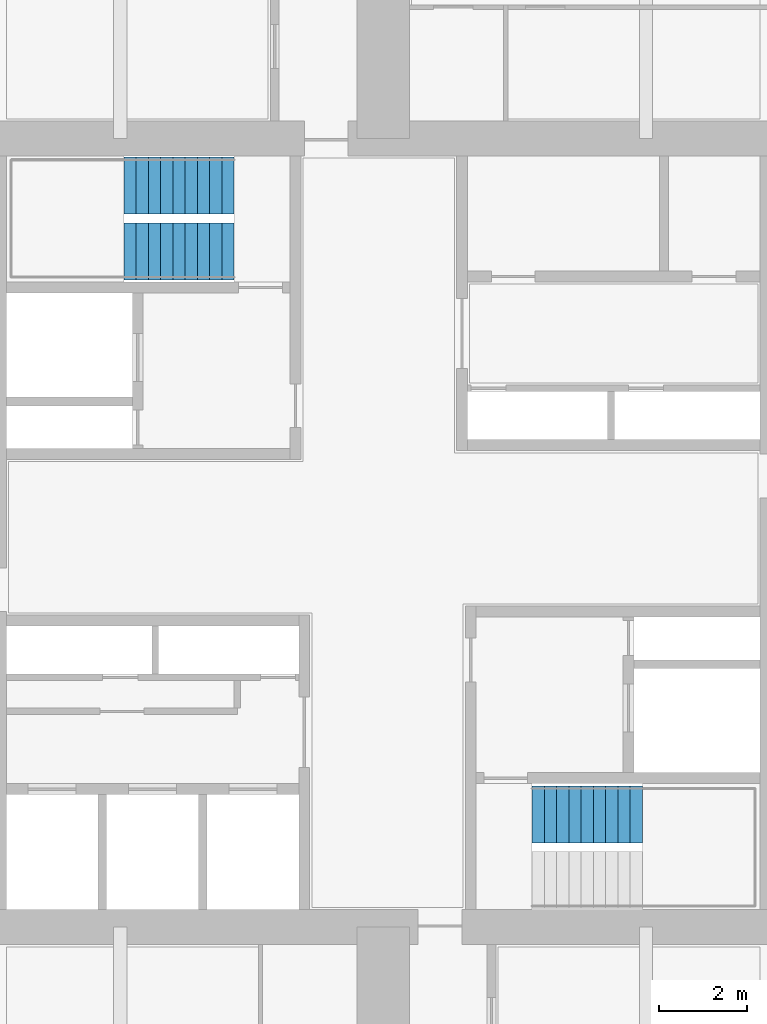
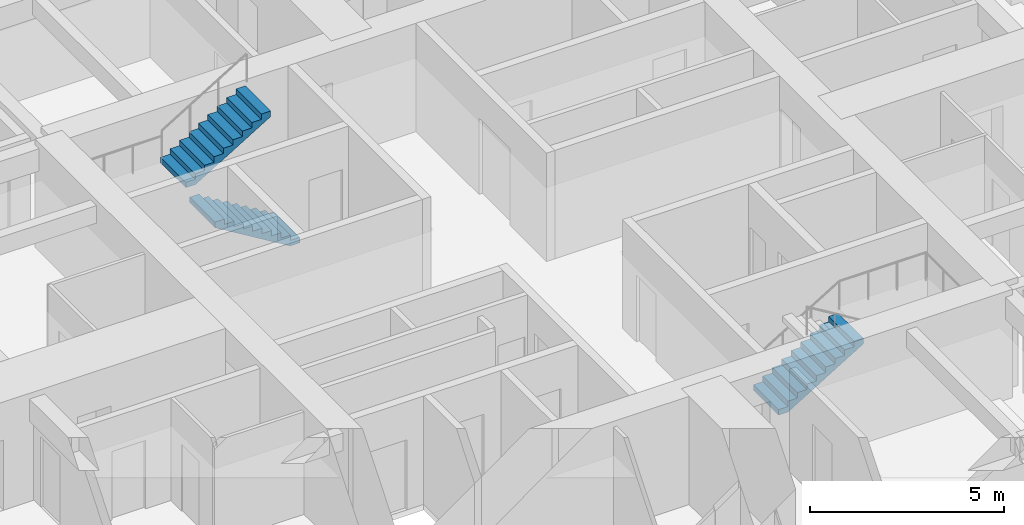
# One storey, part 12 of 14: 3 stair flights, 2 elements without a shape of their own.
"""IFC4 building model written with IfcOpenShell, lengths in metres."""

from ifc_helpers import new_model, si_unit, direction, frame, origin, place, context, subcontext, project, spatial, polyline, outline, extrude, material, type_object, element, aggregate, save


model = new_model("IFC4")

# Units and contexts
model_context = context("Model", 3, precision=1e-05, world=origin(), true_north=direction((0.0, 1.0)))
body_context = subcontext(model_context, "Body", "Model", "MODEL_VIEW")
ifc_project = project(units=[si_unit("LENGTHUNIT", "METRE"), si_unit("AREAUNIT", "SQUARE_METRE"), si_unit("VOLUMEUNIT", "CUBIC_METRE"), si_unit("PLANEANGLEUNIT", "RADIAN"), si_unit("MASSUNIT", "GRAM", prefix="KILO")], contexts=[model_context])

# Site, building, storey
site_placement = place(None, origin())
site = spatial("IfcSite", under=ifc_project, at=site_placement, CompositionType="ELEMENT")
building_placement = place(site_placement, origin())
building = spatial("IfcBuilding", under=site, at=building_placement, Name="Torre Cruceta", CompositionType="ELEMENT")
storey_placement = place(building_placement, frame((0.0, 0.0, 257.699951171875)))
storey = spatial("IfcBuildingStorey", under=building, at=storey_placement, Name="L66", CompositionType="ELEMENT", Elevation=257.699951171875)

# Stair, stair flights
ifc_material_1 = material(Name="Concrete G30 (fck 30 MPa)", Category="concrete")
stair_type = type_object("IfcStairType", Name="STAIR HALF-TURN 1300", PredefinedType="HALF_TURN_STAIR", material=ifc_material_1)
stair_1_placement = place(storey_placement, origin())
stair_1 = element("IfcStair", 1, at=stair_1_placement, inside=storey, type_object=stair_type, Name="Stair ST1 L66", PredefinedType="HALF_TURN_STAIR")
ifc_material_2 = material(Name="Concrete G30 (fck 30 MPa)", Category="concrete")
stair_flight_type = type_object("IfcStairFlightType", Name="STAIR FLIGHT 1300", PredefinedType="STRAIGHT", material=ifc_material_2)
stair_flight_1_placement = place(storey_placement, frame((-3.39990234375, 6.425048828125, 0.0), z_axis=(0.0, 0.0, 1.0), x_axis=(-1.0, 0.0, 0.0)))
stair_flight_1 = element("IfcStairFlight", 2, at=stair_flight_1_placement, type_object=stair_flight_type, Name="ST1 flight 1", NumberOfRisers=10, NumberOfTreads=9, PredefinedType="STRAIGHT", RiserHeight=0.17, TreadLength=0.28, context=body_context, shape_type="SweptSolid", body=[
    extrude(outline(polyline([(0.0, 0.0), (0.0, 0.169921875), (0.280029296875, 0.169921875), (0.280029296875, 0.340087890625), (0.56005859375, 0.340087890625), (0.56005859375, 0.510009765625), (0.840087890625, 0.510009765625), (0.840087890625, 0.679931640625), (1.1201171875, 0.679931640625), (1.1201171875, 0.85009765625), (1.39990234375, 0.85009765625), (1.39990234375, 1.02001953125), (1.679931640625, 1.02001953125), (1.679931640625, 1.18994140625), (1.9599609375, 1.18994140625), (1.9599609375, 1.360107421875), (2.239990234375, 1.360107421875), (2.239990234375, 1.530029296875), (2.52001953125, 1.530029296875), (2.52001953125, 1.699951171875), (2.52001953125, 1.354736328125), (0.288818359375, 0.0), (0.0, 0.0)])), frame((0.0, 0.64990234375, 0.0), z_axis=(0.0, -1.0, 0.0), x_axis=(1.0, 0.0, 0.0)), (0.0, 0.0, 1.0), 1.300048828125),
])
stair_flight_2_placement = place(storey_placement, frame((-5.919921875, 7.925048828125, 1.699951171875), z_axis=(0.0, 0.0, 1.0), x_axis=(1.0, 0.0, 0.0)))
stair_flight_2 = element("IfcStairFlight", 3, at=stair_flight_2_placement, type_object=stair_flight_type, Name="ST1 flight 2", NumberOfRisers=10, NumberOfTreads=9, PredefinedType="STRAIGHT", RiserHeight=0.17, TreadLength=0.28, context=body_context, shape_type="SweptSolid", body=[
    extrude(outline(polyline([(0.0, 0.0), (0.0, 0.169921875), (0.280029296875, 0.169921875), (0.280029296875, 0.340087890625), (0.56005859375, 0.340087890625), (0.56005859375, 0.510009765625), (0.840087890625, 0.510009765625), (0.840087890625, 0.679931640625), (1.1201171875, 0.679931640625), (1.1201171875, 0.85009765625), (1.39990234375, 0.85009765625), (1.39990234375, 1.02001953125), (1.679931640625, 1.02001953125), (1.679931640625, 1.18994140625), (1.9599609375, 1.18994140625), (1.9599609375, 1.360107421875), (2.239990234375, 1.360107421875), (2.239990234375, 1.530029296875), (2.52001953125, 1.530029296875), (2.52001953125, 1.699951171875), (2.52001953125, 1.354736328125), (0.288818359375, 0.0), (0.0, 0.0)])), frame((0.0, 0.64990234375, 0.0), z_axis=(0.0, -1.0, 0.0), x_axis=(1.0, 0.0, 0.0)), (0.0, 0.0, 1.0), 1.300048828125),
])
aggregate(stair_1, [stair_flight_1, stair_flight_2])

# Stair, stair flight
stair_2_placement = place(storey_placement, origin())
stair_2 = element("IfcStair", 4, at=stair_2_placement, inside=storey, type_object=stair_type, Name="Stair ST2 L66", PredefinedType="HALF_TURN_STAIR")
stair_flight_3_placement = place(storey_placement, frame((3.39990234375, -6.425048828125, 0.0), z_axis=(0.0, 0.0, 1.0), x_axis=(1.0, 0.0, 0.0)))
stair_flight_3 = element("IfcStairFlight", 5, at=stair_flight_3_placement, type_object=stair_flight_type, Name="ST2 flight 1", NumberOfRisers=10, NumberOfTreads=9, PredefinedType="STRAIGHT", RiserHeight=0.17, TreadLength=0.28, context=body_context, shape_type="SweptSolid", body=[
    extrude(outline(polyline([(0.0, 0.0), (0.0, 0.169921875), (0.280029296875, 0.169921875), (0.280029296875, 0.340087890625), (0.56005859375, 0.340087890625), (0.56005859375, 0.510009765625), (0.840087890625, 0.510009765625), (0.840087890625, 0.679931640625), (1.1201171875, 0.679931640625), (1.1201171875, 0.85009765625), (1.39990234375, 0.85009765625), (1.39990234375, 1.02001953125), (1.679931640625, 1.02001953125), (1.679931640625, 1.18994140625), (1.9599609375, 1.18994140625), (1.9599609375, 1.360107421875), (2.239990234375, 1.360107421875), (2.239990234375, 1.530029296875), (2.52001953125, 1.530029296875), (2.52001953125, 1.699951171875), (2.52001953125, 1.354736328125), (0.288818359375, 0.0), (0.0, 0.0)])), frame((0.0, 0.64990234375, 0.0), z_axis=(0.0, -1.0, 0.0), x_axis=(1.0, 0.0, 0.0)), (0.0, 0.0, 1.0), 1.300048828125),
])
aggregate(stair_2, [stair_flight_3])

save(model, "model.ifc")
